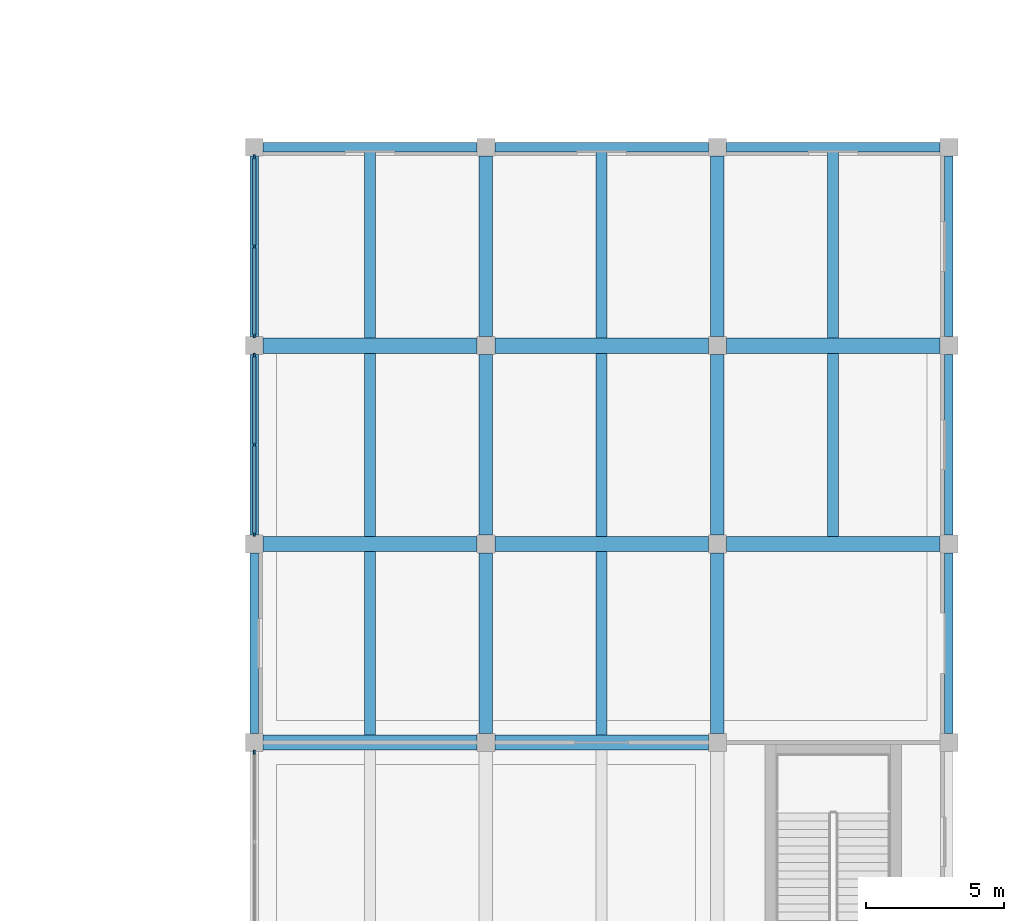
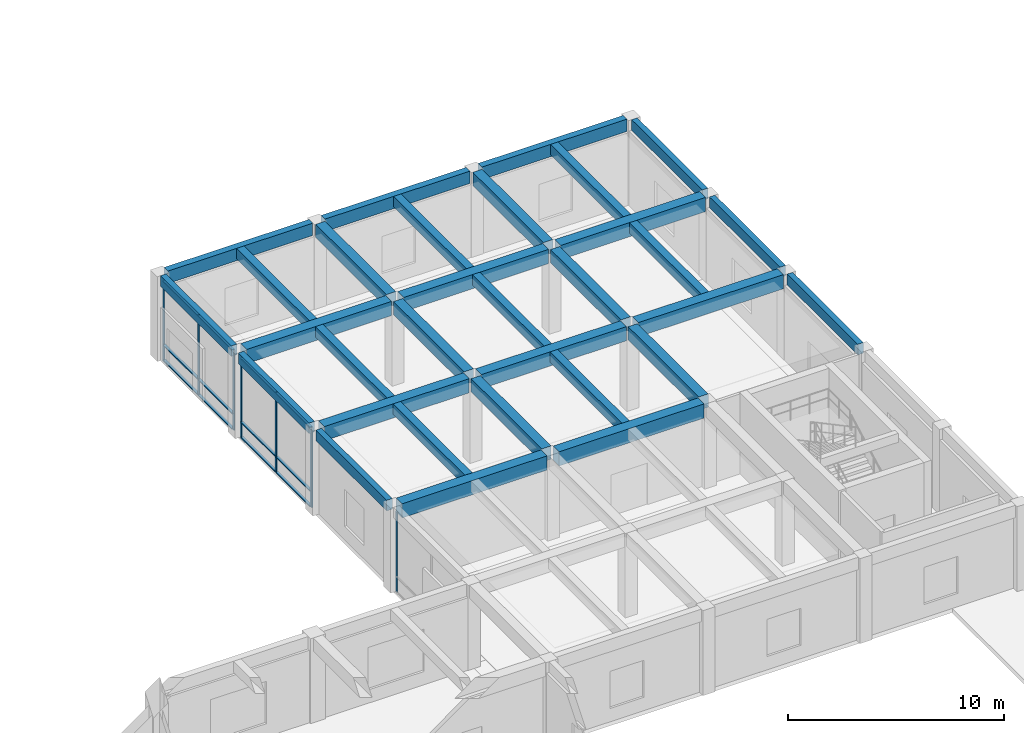
# One storey, part 18 of 49: 31 beams, 19 members, 3 elements without a shape of their own.
"""IFC4 building model written with IfcOpenShell, lengths in metres."""

from ifc_helpers import new_model, si_unit, direction, frame, origin, origin_2d, place, context, subcontext, project, spatial, rectangle, extrude, material, material_profile, profile_set, type_object, element, aggregate, save


model = new_model("IFC4")

# Units and contexts
model_context = context("Model", 3, precision=1e-05, world=origin(), true_north=direction((0.0, 1.0)))
body_context = subcontext(model_context, "Body", "Model", "MODEL_VIEW")
ifc_project = project(units=[si_unit("LENGTHUNIT", "METRE"), si_unit("AREAUNIT", "SQUARE_METRE"), si_unit("VOLUMEUNIT", "CUBIC_METRE"), si_unit("PLANEANGLEUNIT", "RADIAN"), si_unit("MASSUNIT", "GRAM", prefix="KILO")], contexts=[model_context])

# Site, building, storey
site_placement = place(None, origin())
site = spatial("IfcSite", under=ifc_project, at=site_placement, CompositionType="ELEMENT")
building_placement = place(site_placement, origin())
building = spatial("IfcBuilding", under=site, at=building_placement, Name="Kenerak Square Central Library", CompositionType="ELEMENT")
storey_placement = place(building_placement, origin())
storey = spatial("IfcBuildingStorey", under=building, at=storey_placement, Name="L00", CompositionType="ELEMENT", Elevation=0.0)

# Beams
ifc_material_1 = material(Name="Concrete C40/50", Category="concrete")
ifc_material_profile_1 = material_profile(ifc_material_1, rectangle(XDim=0.300048828125, YDim=0.60009765625, at=origin_2d()), Name="RC 300x600")
ifc_profile_set_1 = profile_set([ifc_material_profile_1], Name="Concrete C40/50")
beam_type_1 = type_object("IfcBeamType", Name="Courtyard Spandrel Beam SP-02 RC 300x600 C40/50", PredefinedType="SPANDREL", material=ifc_profile_set_1)
for number, where, z_axis, x_axis, name in (
    (1, (150.800048828125, 45.925048828125, 4.5), (0.0, 1.0, 0.0), (-1.0, 0.0, 0.0), "Beam SP-02 L00 0734"),
    (2, (150.800048828125, 53.125, 4.5), (0.0, 1.0, 0.0), (-1.0, 0.0, 0.0), "Beam SP-02 L00 0735"),
    (3, (150.800048828125, 60.324951171875, 4.5), (0.0, 1.0, 0.0), (-1.0, 0.0, 0.0), "Beam SP-02 L00 0736"),
    (4, (176.0, 45.925048828125, 4.5), (0.0, 1.0, 0.0), (-1.0, 0.0, 0.0), "Beam SP-02 L00 0749"),
    (5, (176.0, 53.125, 4.5), (0.0, 1.0, 0.0), (-1.0, 0.0, 0.0), "Beam SP-02 L00 0750"),
    (6, (176.0, 60.324951171875, 4.5), (0.0, 1.0, 0.0), (-1.0, 0.0, 0.0), "Beam SP-02 L00 0751"),
):
    element("IfcBeam", number, at=place(storey_placement, frame(where, z_axis=z_axis, x_axis=x_axis)), inside=storey, type_object=beam_type_1, Name=name, PredefinedType="SPANDREL", context=body_context, shape_type="SweptSolid", body=[
        extrude(rectangle(XDim=0.300048828125, YDim=0.60009765625, at=origin_2d()), origin(), (0.0, 0.0, 1.0), 6.550048828125),
    ])

# Curtain wall, member
ifc_material_2 = material(Name="Anodised aluminium and solar-control low-E glazing", Category="aluminium")
curtain_wall_type = type_object("IfcCurtainWallType", Name="Curtain Wall CW-V2-65x45 6550x4525", PredefinedType="USERDEFINED", material=ifc_material_2)
curtain_wall_1_placement = place(storey_placement, origin())
curtain_wall_1 = element("IfcCurtainWall", 7, at=curtain_wall_1_placement, inside=storey, type_object=curtain_wall_type, Name="Curtain Wall CW-V2-65x45 L00 0014", ObjectType="CURTAIN WALL", PredefinedType="USERDEFINED")
ifc_material_3 = material(Name="Anodised aluminium 6063-T6", Category="aluminium")
ifc_material_profile_2 = material_profile(ifc_material_3, rectangle(XDim=0.06005859375, YDim=0.14990234375, at=origin_2d()), Name="AL MULLION 60x150")
ifc_profile_set_2 = profile_set([ifc_material_profile_2], Name="Anodised aluminium 6063-T6")
member_type_1 = type_object("IfcMemberType", Name="Curtain Mullion CM-03 60x150", PredefinedType="MULLION", material=ifc_profile_set_2)
member_1_placement = place(storey_placement, frame((150.800048828125, 45.2451171875, 0.0), z_axis=(0.0, 0.0, 1.0), x_axis=(-1.0, 0.0, 0.0)))
member_1 = element("IfcMember", 8, at=member_1_placement, type_object=member_type_1, Name="CW-V2-65x45 Mullion 3", PredefinedType="MULLION", context=body_context, shape_type="SweptSolid", body=[
    extrude(rectangle(XDim=0.06005859375, YDim=0.14990234375, at=origin_2d()), origin(), (0.0, 0.0, 1.0), 4.52490234375),
])
aggregate(curtain_wall_1, [member_1])

# Curtain wall, members
curtain_wall_2_placement = place(storey_placement, origin())
curtain_wall_2 = element("IfcCurtainWall", 9, at=curtain_wall_2_placement, inside=storey, type_object=curtain_wall_type, Name="Curtain Wall CW-V2-65x45 L00 0015", ObjectType="CURTAIN WALL", PredefinedType="USERDEFINED")
member_2_placement = place(storey_placement, frame((150.800048828125, 53.155029296875, 0.0), z_axis=(0.0, 0.0, 1.0), x_axis=(-1.0, 0.0, 0.0)))
member_2 = element("IfcMember", 10, at=member_2_placement, type_object=member_type_1, Name="CW-V2-65x45 Mullion 1", PredefinedType="MULLION", context=body_context, shape_type="SweptSolid", body=[
    extrude(rectangle(XDim=0.06005859375, YDim=0.14990234375, at=origin_2d()), origin(), (0.0, 0.0, 1.0), 4.52490234375),
])
member_3_placement = place(storey_placement, frame((150.800048828125, 56.39990234375, 0.0), z_axis=(0.0, 0.0, 1.0), x_axis=(-1.0, 0.0, 0.0)))
member_3 = element("IfcMember", 11, at=member_3_placement, type_object=member_type_1, Name="CW-V2-65x45 Mullion 2", PredefinedType="MULLION", context=body_context, shape_type="SweptSolid", body=[
    extrude(rectangle(XDim=0.06005859375, YDim=0.14990234375, at=origin_2d()), origin(), (0.0, 0.0, 1.0), 4.52490234375),
])
member_4_placement = place(storey_placement, frame((150.800048828125, 59.64501953125, 0.0), z_axis=(0.0, 0.0, 1.0), x_axis=(-1.0, 0.0, 0.0)))
member_4 = element("IfcMember", 12, at=member_4_placement, type_object=member_type_1, Name="CW-V2-65x45 Mullion 3", PredefinedType="MULLION", context=body_context, shape_type="SweptSolid", body=[
    extrude(rectangle(XDim=0.06005859375, YDim=0.14990234375, at=origin_2d()), origin(), (0.0, 0.0, 1.0), 4.52490234375),
])

curtain_wall_3_placement = place(storey_placement, origin())
curtain_wall_3 = element("IfcCurtainWall", 13, at=curtain_wall_3_placement, inside=storey, type_object=curtain_wall_type, Name="Curtain Wall CW-V2-65x45 L00 0016", ObjectType="CURTAIN WALL", PredefinedType="USERDEFINED")
member_5_placement = place(storey_placement, frame((150.800048828125, 60.35498046875, 0.0), z_axis=(0.0, 0.0, 1.0), x_axis=(-1.0, 0.0, 0.0)))
member_5 = element("IfcMember", 14, at=member_5_placement, type_object=member_type_1, Name="CW-V2-65x45 Mullion 1", PredefinedType="MULLION", context=body_context, shape_type="SweptSolid", body=[
    extrude(rectangle(XDim=0.06005859375, YDim=0.14990234375, at=origin_2d()), origin(), (0.0, 0.0, 1.0), 4.52490234375),
])
member_6_placement = place(storey_placement, frame((150.800048828125, 63.60009765625, 0.0), z_axis=(0.0, 0.0, 1.0), x_axis=(-1.0, 0.0, 0.0)))
member_6 = element("IfcMember", 15, at=member_6_placement, type_object=member_type_1, Name="CW-V2-65x45 Mullion 2", PredefinedType="MULLION", context=body_context, shape_type="SweptSolid", body=[
    extrude(rectangle(XDim=0.06005859375, YDim=0.14990234375, at=origin_2d()), origin(), (0.0, 0.0, 1.0), 4.52490234375),
])
member_7_placement = place(storey_placement, frame((150.800048828125, 66.844970703125, 0.0), z_axis=(0.0, 0.0, 1.0), x_axis=(-1.0, 0.0, 0.0)))
member_7 = element("IfcMember", 16, at=member_7_placement, type_object=member_type_1, Name="CW-V2-65x45 Mullion 3", PredefinedType="MULLION", context=body_context, shape_type="SweptSolid", body=[
    extrude(rectangle(XDim=0.06005859375, YDim=0.14990234375, at=origin_2d()), origin(), (0.0, 0.0, 1.0), 4.52490234375),
])

# Member
ifc_material_profile_3 = material_profile(ifc_material_3, rectangle(XDim=0.139892578125, YDim=0.06005859375, at=origin_2d()), Name="AL TRANSOM 140x60")
ifc_profile_set_3 = profile_set([ifc_material_profile_3], Name="Anodised aluminium 6063-T6")
member_type_2 = type_object("IfcMemberType", Name="Curtain Transom CT-13 140x60", PredefinedType="USERDEFINED", material=ifc_profile_set_3)
member_8_placement = place(storey_placement, frame((150.800048828125, 53.18505859375, 0.030029296875), z_axis=(0.0, 1.0, 0.0), x_axis=(-1.0, 0.0, 0.0)))
member_8 = element("IfcMember", 17, at=member_8_placement, type_object=member_type_2, Name="CW-V2-65x45 Transom 1.1", ObjectType="TRANSOM", PredefinedType="USERDEFINED", context=body_context, shape_type="SweptSolid", body=[
    extrude(rectangle(XDim=0.139892578125, YDim=0.06005859375, at=origin_2d()), origin(), (0.0, 0.0, 1.0), 3.18505859375),
])

member_9_placement = place(storey_placement, frame((150.800048828125, 53.18505859375, 0.89990234375), z_axis=(0.0, 1.0, 0.0), x_axis=(-1.0, 0.0, 0.0)))
member_9 = element("IfcMember", 18, at=member_9_placement, type_object=member_type_2, Name="CW-V2-65x45 Transom 1.2", ObjectType="TRANSOM", PredefinedType="USERDEFINED", context=body_context, shape_type="SweptSolid", body=[
    extrude(rectangle(XDim=0.139892578125, YDim=0.06005859375, at=origin_2d()), origin(), (0.0, 0.0, 1.0), 3.18505859375),
])

member_10_placement = place(storey_placement, frame((150.800048828125, 53.18505859375, 4.4951171875), z_axis=(0.0, 1.0, 0.0), x_axis=(-1.0, 0.0, 0.0)))
member_10 = element("IfcMember", 19, at=member_10_placement, type_object=member_type_2, Name="CW-V2-65x45 Transom 1.3", ObjectType="TRANSOM", PredefinedType="USERDEFINED", context=body_context, shape_type="SweptSolid", body=[
    extrude(rectangle(XDim=0.139892578125, YDim=0.06005859375, at=origin_2d()), origin(), (0.0, 0.0, 1.0), 3.18505859375),
])

member_11_placement = place(storey_placement, frame((150.800048828125, 56.429931640625, 0.030029296875), z_axis=(0.0, 1.0, 0.0), x_axis=(-1.0, 0.0, 0.0)))
member_11 = element("IfcMember", 20, at=member_11_placement, type_object=member_type_2, Name="CW-V2-65x45 Transom 2.1", ObjectType="TRANSOM", PredefinedType="USERDEFINED", context=body_context, shape_type="SweptSolid", body=[
    extrude(rectangle(XDim=0.139892578125, YDim=0.06005859375, at=origin_2d()), origin(), (0.0, 0.0, 1.0), 3.18505859375),
])

member_12_placement = place(storey_placement, frame((150.800048828125, 56.429931640625, 0.89990234375), z_axis=(0.0, 1.0, 0.0), x_axis=(-1.0, 0.0, 0.0)))
member_12 = element("IfcMember", 21, at=member_12_placement, type_object=member_type_2, Name="CW-V2-65x45 Transom 2.2", ObjectType="TRANSOM", PredefinedType="USERDEFINED", context=body_context, shape_type="SweptSolid", body=[
    extrude(rectangle(XDim=0.139892578125, YDim=0.06005859375, at=origin_2d()), origin(), (0.0, 0.0, 1.0), 3.18505859375),
])

member_13_placement = place(storey_placement, frame((150.800048828125, 56.429931640625, 4.4951171875), z_axis=(0.0, 1.0, 0.0), x_axis=(-1.0, 0.0, 0.0)))
member_13 = element("IfcMember", 22, at=member_13_placement, type_object=member_type_2, Name="CW-V2-65x45 Transom 2.3", ObjectType="TRANSOM", PredefinedType="USERDEFINED", context=body_context, shape_type="SweptSolid", body=[
    extrude(rectangle(XDim=0.139892578125, YDim=0.06005859375, at=origin_2d()), origin(), (0.0, 0.0, 1.0), 3.18505859375),
])

aggregate(curtain_wall_2, [member_2, member_3, member_4, member_8, member_9, member_10, member_11, member_12, member_13])

member_14_placement = place(storey_placement, frame((150.800048828125, 60.385009765625, 0.030029296875), z_axis=(0.0, 1.0, 0.0), x_axis=(-1.0, 0.0, 0.0)))
member_14 = element("IfcMember", 23, at=member_14_placement, type_object=member_type_2, Name="CW-V2-65x45 Transom 1.1", ObjectType="TRANSOM", PredefinedType="USERDEFINED", context=body_context, shape_type="SweptSolid", body=[
    extrude(rectangle(XDim=0.139892578125, YDim=0.06005859375, at=origin_2d()), origin(), (0.0, 0.0, 1.0), 3.18505859375),
])

member_15_placement = place(storey_placement, frame((150.800048828125, 60.385009765625, 0.89990234375), z_axis=(0.0, 1.0, 0.0), x_axis=(-1.0, 0.0, 0.0)))
member_15 = element("IfcMember", 24, at=member_15_placement, type_object=member_type_2, Name="CW-V2-65x45 Transom 1.2", ObjectType="TRANSOM", PredefinedType="USERDEFINED", context=body_context, shape_type="SweptSolid", body=[
    extrude(rectangle(XDim=0.139892578125, YDim=0.06005859375, at=origin_2d()), origin(), (0.0, 0.0, 1.0), 3.18505859375),
])

member_16_placement = place(storey_placement, frame((150.800048828125, 60.385009765625, 4.4951171875), z_axis=(0.0, 1.0, 0.0), x_axis=(-1.0, 0.0, 0.0)))
member_16 = element("IfcMember", 25, at=member_16_placement, type_object=member_type_2, Name="CW-V2-65x45 Transom 1.3", ObjectType="TRANSOM", PredefinedType="USERDEFINED", context=body_context, shape_type="SweptSolid", body=[
    extrude(rectangle(XDim=0.139892578125, YDim=0.06005859375, at=origin_2d()), origin(), (0.0, 0.0, 1.0), 3.18505859375),
])

member_17_placement = place(storey_placement, frame((150.800048828125, 63.6298828125, 0.030029296875), z_axis=(0.0, 1.0, 0.0), x_axis=(-1.0, 0.0, 0.0)))
member_17 = element("IfcMember", 26, at=member_17_placement, type_object=member_type_2, Name="CW-V2-65x45 Transom 2.1", ObjectType="TRANSOM", PredefinedType="USERDEFINED", context=body_context, shape_type="SweptSolid", body=[
    extrude(rectangle(XDim=0.139892578125, YDim=0.06005859375, at=origin_2d()), origin(), (0.0, 0.0, 1.0), 3.18505859375),
])

member_18_placement = place(storey_placement, frame((150.800048828125, 63.6298828125, 0.89990234375), z_axis=(0.0, 1.0, 0.0), x_axis=(-1.0, 0.0, 0.0)))
member_18 = element("IfcMember", 27, at=member_18_placement, type_object=member_type_2, Name="CW-V2-65x45 Transom 2.2", ObjectType="TRANSOM", PredefinedType="USERDEFINED", context=body_context, shape_type="SweptSolid", body=[
    extrude(rectangle(XDim=0.139892578125, YDim=0.06005859375, at=origin_2d()), origin(), (0.0, 0.0, 1.0), 3.18505859375),
])

member_19_placement = place(storey_placement, frame((150.800048828125, 63.6298828125, 4.4951171875), z_axis=(0.0, 1.0, 0.0), x_axis=(-1.0, 0.0, 0.0)))
member_19 = element("IfcMember", 28, at=member_19_placement, type_object=member_type_2, Name="CW-V2-65x45 Transom 2.3", ObjectType="TRANSOM", PredefinedType="USERDEFINED", context=body_context, shape_type="SweptSolid", body=[
    extrude(rectangle(XDim=0.139892578125, YDim=0.06005859375, at=origin_2d()), origin(), (0.0, 0.0, 1.0), 3.18505859375),
])

aggregate(curtain_wall_3, [member_5, member_6, member_7, member_14, member_15, member_16, member_17, member_18, member_19])

# Beams
ifc_material_profile_4 = material_profile(ifc_material_1, rectangle(XDim=0.35009765625, YDim=0.699951171875, at=origin_2d()), Name="RC 350x700")
ifc_profile_set_4 = profile_set([ifc_material_profile_4], Name="Concrete C40/50")
beam_type_2 = type_object("IfcBeamType", Name="Expressed Spandrel Beam SP-01 RC 350x700 C40/50", PredefinedType="SPANDREL", material=ifc_profile_set_4)
for number, where, z_axis, x_axis, name in (
    (29, (151.125, 67.199951171875, 4.449951171875), (1.0, 0.0, 0.0), (0.0, 1.0, 0.0), "Beam SP-01 L00 0534"),
    (30, (159.52490234375, 67.199951171875, 4.449951171875), (1.0, 0.0, 0.0), (0.0, 1.0, 0.0), "Beam SP-01 L00 0535"),
    (31, (167.925048828125, 67.199951171875, 4.449951171875), (1.0, 0.0, 0.0), (0.0, 1.0, 0.0), "Beam SP-01 L00 0536"),
):
    element("IfcBeam", number, at=place(storey_placement, frame(where, z_axis=z_axis, x_axis=x_axis)), inside=storey, type_object=beam_type_2, Name=name, PredefinedType="SPANDREL", context=body_context, shape_type="SweptSolid", body=[
        extrude(rectangle(XDim=0.35009765625, YDim=0.699951171875, at=origin_2d()), origin(), (0.0, 0.0, 1.0), 7.75),
    ])
ifc_material_profile_5 = material_profile(ifc_material_1, rectangle(XDim=0.550048828125, YDim=0.800048828125, at=origin_2d()), Name="RC 550x800")
ifc_profile_set_5 = profile_set([ifc_material_profile_5], Name="Concrete C40/50")
beam_type_3 = type_object("IfcBeamType", Name="Primary Reading Beam B-04 RC 550x800 C40/50", PredefinedType="BEAM", material=ifc_profile_set_5)
for number, where, z_axis, x_axis, name in (
    (32, (151.125, 45.60009765625, 4.39990234375), (1.0, 0.0, 0.0), (0.0, 1.0, 0.0), "Beam B-04 L00 0514"),
    (33, (159.52490234375, 45.60009765625, 4.39990234375), (1.0, 0.0, 0.0), (0.0, 1.0, 0.0), "Beam B-04 L00 0515"),
    (34, (151.125, 52.800048828125, 4.39990234375), (1.0, 0.0, 0.0), (0.0, 1.0, 0.0), "Beam B-04 L00 0523"),
    (35, (159.52490234375, 52.800048828125, 4.39990234375), (1.0, 0.0, 0.0), (0.0, 1.0, 0.0), "Beam B-04 L00 0524"),
    (36, (167.925048828125, 52.800048828125, 4.39990234375), (1.0, 0.0, 0.0), (0.0, 1.0, 0.0), "Beam B-04 L00 0525"),
    (37, (151.125, 60.0, 4.39990234375), (1.0, 0.0, 0.0), (0.0, 1.0, 0.0), "Beam B-04 L00 0530"),
    (38, (159.52490234375, 60.0, 4.39990234375), (1.0, 0.0, 0.0), (0.0, 1.0, 0.0), "Beam B-04 L00 0531"),
    (39, (167.925048828125, 60.0, 4.39990234375), (1.0, 0.0, 0.0), (0.0, 1.0, 0.0), "Beam B-04 L00 0532"),
):
    element("IfcBeam", number, at=place(storey_placement, frame(where, z_axis=z_axis, x_axis=x_axis)), inside=storey, type_object=beam_type_3, Name=name, PredefinedType="BEAM", context=body_context, shape_type="SweptSolid", body=[
        extrude(rectangle(XDim=0.550048828125, YDim=0.800048828125, at=origin_2d()), origin(), (0.0, 0.0, 1.0), 7.75),
    ])
ifc_material_profile_6 = material_profile(ifc_material_1, rectangle(XDim=0.39990234375, YDim=0.60009765625, at=origin_2d()), Name="RC 400x600")
ifc_profile_set_6 = profile_set([ifc_material_profile_6], Name="Concrete C40/50")
beam_type_4 = type_object("IfcBeamType", Name="Secondary Floor Joist J-01 RC 400x600 C40/50", PredefinedType="JOIST", material=ifc_profile_set_6)
beam_1_placement = place(storey_placement, frame((155.0, 45.875, 4.5), z_axis=(0.0, 1.0, 0.0), x_axis=(-1.0, 0.0, 0.0)))
element("IfcBeam", 40, at=beam_1_placement, inside=storey, type_object=beam_type_4, Name="Joist J-01 L00 0848", PredefinedType="JOIST", context=body_context, shape_type="SweptSolid", body=[
    extrude(rectangle(XDim=0.39990234375, YDim=0.60009765625, at=origin_2d()), origin(), (0.0, 0.0, 1.0), 6.64990234375),
])
beam_2_placement = place(storey_placement, frame((155.0, 53.074951171875, 4.5), z_axis=(0.0, 1.0, 0.0), x_axis=(-1.0, 0.0, 0.0)))
element("IfcBeam", 41, at=beam_2_placement, inside=storey, type_object=beam_type_4, Name="Joist J-01 L00 0849", PredefinedType="JOIST", context=body_context, shape_type="SweptSolid", body=[
    extrude(rectangle(XDim=0.39990234375, YDim=0.60009765625, at=origin_2d()), origin(), (0.0, 0.0, 1.0), 6.650146484375),
])
beam_3_placement = place(storey_placement, frame((155.0, 60.27490234375, 4.5), z_axis=(0.0, 1.0, 0.0), x_axis=(-1.0, 0.0, 0.0)))
element("IfcBeam", 42, at=beam_3_placement, inside=storey, type_object=beam_type_4, Name="Joist J-01 L00 0850", PredefinedType="JOIST", context=body_context, shape_type="SweptSolid", body=[
    extrude(rectangle(XDim=0.39990234375, YDim=0.60009765625, at=origin_2d()), origin(), (0.0, 0.0, 1.0), 6.75),
])
beam_4_placement = place(storey_placement, frame((163.39990234375, 45.875, 4.5), z_axis=(0.0, 1.0, 0.0), x_axis=(-1.0, 0.0, 0.0)))
element("IfcBeam", 43, at=beam_4_placement, inside=storey, type_object=beam_type_4, Name="Joist J-01 L00 0853", PredefinedType="JOIST", context=body_context, shape_type="SweptSolid", body=[
    extrude(rectangle(XDim=0.39990234375, YDim=0.60009765625, at=origin_2d()), origin(), (0.0, 0.0, 1.0), 6.64990234375),
])
beam_5_placement = place(storey_placement, frame((163.39990234375, 53.074951171875, 4.5), z_axis=(0.0, 1.0, 0.0), x_axis=(-1.0, 0.0, 0.0)))
element("IfcBeam", 44, at=beam_5_placement, inside=storey, type_object=beam_type_4, Name="Joist J-01 L00 0854", PredefinedType="JOIST", context=body_context, shape_type="SweptSolid", body=[
    extrude(rectangle(XDim=0.39990234375, YDim=0.60009765625, at=origin_2d()), origin(), (0.0, 0.0, 1.0), 6.650146484375),
])
beam_6_placement = place(storey_placement, frame((163.39990234375, 60.27490234375, 4.5), z_axis=(0.0, 1.0, 0.0), x_axis=(-1.0, 0.0, 0.0)))
element("IfcBeam", 45, at=beam_6_placement, inside=storey, type_object=beam_type_4, Name="Joist J-01 L00 0855", PredefinedType="JOIST", context=body_context, shape_type="SweptSolid", body=[
    extrude(rectangle(XDim=0.39990234375, YDim=0.60009765625, at=origin_2d()), origin(), (0.0, 0.0, 1.0), 6.75),
])
beam_7_placement = place(storey_placement, frame((171.800048828125, 53.074951171875, 4.5), z_axis=(0.0, 1.0, 0.0), x_axis=(-1.0, 0.0, 0.0)))
element("IfcBeam", 46, at=beam_7_placement, inside=storey, type_object=beam_type_4, Name="Joist J-01 L00 0856", PredefinedType="JOIST", context=body_context, shape_type="SweptSolid", body=[
    extrude(rectangle(XDim=0.39990234375, YDim=0.60009765625, at=origin_2d()), origin(), (0.0, 0.0, 1.0), 6.650146484375),
])
beam_8_placement = place(storey_placement, frame((171.800048828125, 60.27490234375, 4.5), z_axis=(0.0, 1.0, 0.0), x_axis=(-1.0, 0.0, 0.0)))
element("IfcBeam", 47, at=beam_8_placement, inside=storey, type_object=beam_type_4, Name="Joist J-01 L00 0857", PredefinedType="JOIST", context=body_context, shape_type="SweptSolid", body=[
    extrude(rectangle(XDim=0.39990234375, YDim=0.60009765625, at=origin_2d()), origin(), (0.0, 0.0, 1.0), 6.75),
])
ifc_material_profile_7 = material_profile(ifc_material_1, rectangle(XDim=0.5, YDim=0.75, at=origin_2d()), Name="RC 500x750")
ifc_profile_set_7 = profile_set([ifc_material_profile_7], Name="Concrete C40/50")
beam_type_5 = type_object("IfcBeamType", Name="Transverse Frame Beam B-05 RC 500x750 C40/50", PredefinedType="BEAM", material=ifc_profile_set_7)
for number, where, z_axis, x_axis, name in (
    (48, (159.199951171875, 45.925048828125, 4.425048828125), (0.0, 1.0, 0.0), (-1.0, 0.0, 0.0), "Beam B-05 L00 0739"),
    (49, (159.199951171875, 53.125, 4.425048828125), (0.0, 1.0, 0.0), (-1.0, 0.0, 0.0), "Beam B-05 L00 0740"),
    (50, (159.199951171875, 60.324951171875, 4.425048828125), (0.0, 1.0, 0.0), (-1.0, 0.0, 0.0), "Beam B-05 L00 0741"),
    (51, (167.60009765625, 45.925048828125, 4.425048828125), (0.0, 1.0, 0.0), (-1.0, 0.0, 0.0), "Beam B-05 L00 0744"),
    (52, (167.60009765625, 53.125, 4.425048828125), (0.0, 1.0, 0.0), (-1.0, 0.0, 0.0), "Beam B-05 L00 0745"),
    (53, (167.60009765625, 60.324951171875, 4.425048828125), (0.0, 1.0, 0.0), (-1.0, 0.0, 0.0), "Beam B-05 L00 0746"),
):
    element("IfcBeam", number, at=place(storey_placement, frame(where, z_axis=z_axis, x_axis=x_axis)), inside=storey, type_object=beam_type_5, Name=name, PredefinedType="BEAM", context=body_context, shape_type="SweptSolid", body=[
        extrude(rectangle(XDim=0.5, YDim=0.75, at=origin_2d()), origin(), (0.0, 0.0, 1.0), 6.550048828125),
    ])

save(model, "model.ifc")
